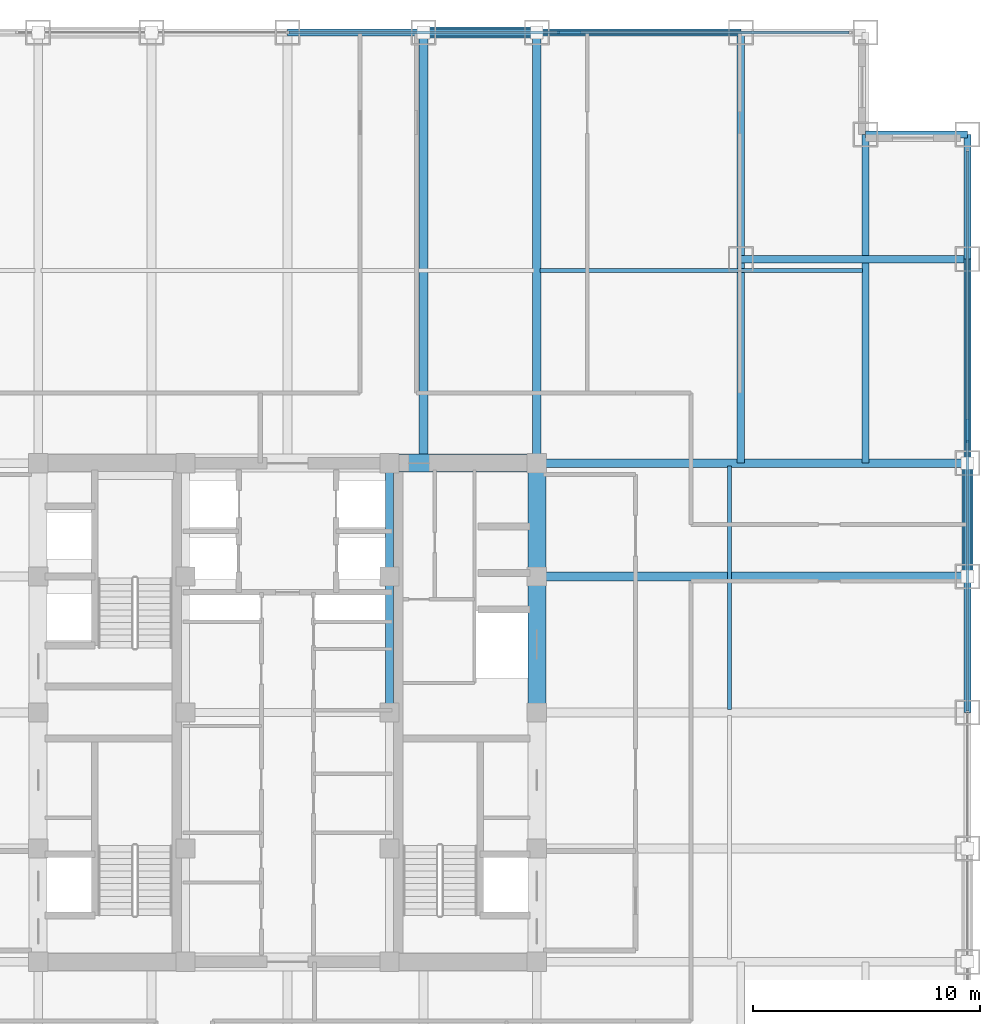
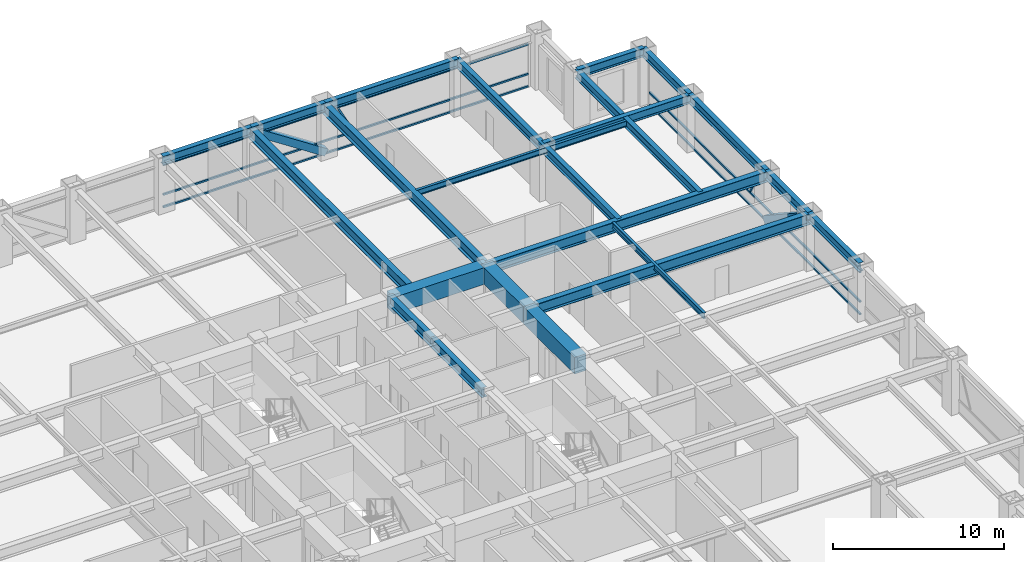
# One storey, part 17 of 24: 22 beams, 10 members, 2 elements without a shape of their own.
"""IFC4 building model written with IfcOpenShell, lengths in metres."""

from ifc_helpers import new_model, si_unit, direction, frame, origin, origin_2d, place, context, subcontext, project, spatial, rectangle, hollow_rectangle, i_section, extrude, source, transform, mapped, material, material_profile, profile_set, type_object, element, aggregate, save


model = new_model("IFC4")

# Units and contexts
model_context = context("Model", 3, precision=1e-05, world=origin(), true_north=direction((0.0, 1.0)))
body_context = subcontext(model_context, "Body", "Model", "MODEL_VIEW")
ifc_project = project(units=[si_unit("LENGTHUNIT", "METRE"), si_unit("AREAUNIT", "SQUARE_METRE"), si_unit("VOLUMEUNIT", "CUBIC_METRE"), si_unit("PLANEANGLEUNIT", "RADIAN"), si_unit("MASSUNIT", "GRAM", prefix="KILO")], contexts=[model_context])

# Site, building, storey
site_placement = place(None, origin())
site = spatial("IfcSite", under=ifc_project, at=site_placement, CompositionType="ELEMENT")
building_placement = place(site_placement, origin())
building = spatial("IfcBuilding", under=site, at=building_placement, Name="Khorayat Bourse Tower", CompositionType="ELEMENT")
storey_placement = place(building_placement, frame((0.0, 0.0, 159.10009765625)))
storey = spatial("IfcBuildingStorey", under=building, at=storey_placement, Name="L36", CompositionType="ELEMENT", Elevation=159.10009765625)

# Beams
ifc_material_1 = material(Name="Concrete C72/90", Category="concrete")
ifc_material_profile_1 = material_profile(ifc_material_1, rectangle(XDim=0.800048828125, YDim=1.199951171875, at=origin_2d()), Name="RC 800x1200")
ifc_profile_set_1 = profile_set([ifc_material_profile_1], Name="Concrete C72/90")
beam_type_1 = type_object("IfcBeamType", Name="BM-COUP-1200", PredefinedType="BEAM", material=ifc_profile_set_1)
shared_shape_1 = source(origin(), body_context, "Body", "SweptSolid", [
    extrude(rectangle(XDim=0.800048828125, YDim=1.199951171875, at=origin_2d()), origin(), (0.0, 0.0, 1.0), 5.0),
])
beam_1_placement = place(storey_placement, frame((11.0, 6.0, 3.179931640625), z_axis=(0.0, 1.0, 0.0), x_axis=(-1.0, 0.0, 0.0)))
element("IfcBeam", 1, at=beam_1_placement, inside=storey, type_object=beam_type_1, Name="L36 BM-COUP-1200 BM-L36-CRX-16", PredefinedType="BEAM", context=body_context, shape_type="MappedRepresentation", body=[
    mapped(shared_shape_1, transform((0.0, 0.0, 0.0), scale=1.0)),
])
shared_shape_2 = source(origin(), body_context, "Body", "SweptSolid", [
    extrude(rectangle(XDim=0.800048828125, YDim=1.199951171875, at=origin_2d()), origin(), (0.0, 0.0, 1.0), 6.0),
])
beam_2_placement = place(storey_placement, frame((11.0, 0.0, 3.179931640625), z_axis=(0.0, 1.0, 0.0), x_axis=(-1.0, 0.0, 0.0)))
element("IfcBeam", 2, at=beam_2_placement, inside=storey, type_object=beam_type_1, Name="L36 BM-COUP-1200 BM-L36-CRX-15", PredefinedType="BEAM", context=body_context, shape_type="MappedRepresentation", body=[
    mapped(shared_shape_2, transform((0.0, 0.0, 0.0), scale=1.0)),
])
ifc_material_2 = material(Name="Steel ASTM A992 Grade 50", Category="steel")
ifc_material_profile_2 = material_profile(ifc_material_2, i_section(OverallWidth=0.35498046875, OverallDepth=0.695068359375, WebThickness=0.015380859375, FlangeThickness=0.02490234375, FilletRadius=0.01806640625, at=origin_2d()), Name="W690X217")
ifc_profile_set_2 = profile_set([ifc_material_profile_2], Name="Steel ASTM A992 Grade 50")
beam_type_2 = type_object("IfcBeamType", Name="BM-GIRD-690", PredefinedType="BEAM", material=ifc_profile_set_2)
shared_shape_3 = source(origin(), body_context, "Body", "SweptSolid", [
    extrude(i_section(OverallWidth=0.35498046875, OverallDepth=0.695068359375, WebThickness=0.015380859375, FlangeThickness=0.02490234375, FilletRadius=0.01806640625, at=origin_2d()), origin(), (0.0, 0.0, 1.0), 5.0),
])
beam_3_placement = place(storey_placement, frame((4.5, 6.0, 3.432373046875), z_axis=(0.0, 1.0, 0.0), x_axis=(-1.0, 0.0, 0.0)))
element("IfcBeam", 3, at=beam_3_placement, inside=storey, type_object=beam_type_2, Name="L36 BM-GIRD-690 BM-L36-CRX-12", PredefinedType="BEAM", context=body_context, shape_type="MappedRepresentation", body=[
    mapped(shared_shape_3, transform((0.0, 0.0, 0.0), scale=1.0)),
])
shared_shape_4 = source(origin(), body_context, "Body", "SweptSolid", [
    extrude(i_section(OverallWidth=0.35498046875, OverallDepth=0.695068359375, WebThickness=0.015380859375, FlangeThickness=0.02490234375, FilletRadius=0.01806640625, at=origin_2d()), origin(), (0.0, 0.0, 1.0), 6.0),
])
beam_4_placement = place(storey_placement, frame((4.5, 0.0, 3.432373046875), z_axis=(0.0, 1.0, 0.0), x_axis=(-1.0, 0.0, 0.0)))
element("IfcBeam", 4, at=beam_4_placement, inside=storey, type_object=beam_type_2, Name="L36 BM-GIRD-690 BM-L36-CRX-11", PredefinedType="BEAM", context=body_context, shape_type="MappedRepresentation", body=[
    mapped(shared_shape_4, transform((0.0, 0.0, 0.0), scale=1.0)),
])
shared_shape_5 = source(origin(), body_context, "Body", "SweptSolid", [
    extrude(rectangle(XDim=0.800048828125, YDim=1.199951171875, at=origin_2d()), origin(), (0.0, 0.0, 1.0), 6.5),
])
beam_5_placement = place(storey_placement, frame((4.5, 11.0, 3.179931640625), z_axis=(1.0, 0.0, 0.0), x_axis=(0.0, 1.0, 0.0)))
element("IfcBeam", 5, at=beam_5_placement, inside=storey, type_object=beam_type_1, Name="L36 BM-COUP-1200 BM-L36-CRY-22", PredefinedType="BEAM", context=body_context, shape_type="MappedRepresentation", body=[
    mapped(shared_shape_5, transform((0.0, 0.0, 0.0), scale=1.0)),
])
ifc_material_profile_3 = material_profile(ifc_material_2, i_section(OverallWidth=0.381103515625, OverallDepth=0.77294921875, WebThickness=0.0166015625, FlangeThickness=0.027587890625, FilletRadius=0.01806640625, at=origin_2d()), Name="W760X257")
ifc_profile_set_3 = profile_set([ifc_material_profile_3], Name="Steel ASTM A992 Grade 50")
beam_type_3 = type_object("IfcBeamType", Name="BM-GIRD-760", PredefinedType="BEAM", material=ifc_profile_set_3)
shared_shape_6 = source(origin(), body_context, "Body", "SweptSolid", [
    extrude(i_section(OverallWidth=0.381103515625, OverallDepth=0.77294921875, WebThickness=0.0166015625, FlangeThickness=0.027587890625, FilletRadius=0.01806640625, at=origin_2d()), origin(), (0.0, 0.0, 1.0), 19.0),
])
for number, where, z_axis, x_axis, name in (
    (6, (6.0, 11.0, 3.393310546875), (0.0, 1.0, 0.0), (-1.0, 0.0, 0.0), "L36 BM-GIRD-760 BM-L36-RADY-070"),
    (7, (11.0, 11.0, 3.393310546875), (0.0, 1.0, 0.0), (-1.0, 0.0, 0.0), "L36 BM-GIRD-760 BM-L36-RADY-072"),
    (8, (11.0, 6.0, 3.393310546875), (1.0, 0.0, 0.0), (0.0, 1.0, 0.0), "L36 BM-GIRD-760 BM-L36-RADX-080"),
    (9, (11.0, 11.0, 3.393310546875), (1.0, 0.0, 0.0), (0.0, 1.0, 0.0), "L36 BM-GIRD-760 BM-L36-RADX-082"),
):
    element("IfcBeam", number, at=place(storey_placement, frame(where, z_axis=z_axis, x_axis=x_axis)), inside=storey, type_object=beam_type_3, Name=name, PredefinedType="BEAM", context=body_context, shape_type="MappedRepresentation", body=[
        mapped(shared_shape_6, transform((0.0, 0.0, 0.0), scale=1.0)),
    ])
ifc_material_profile_4 = material_profile(ifc_material_2, i_section(OverallWidth=0.324951171875, OverallDepth=0.615966796875, WebThickness=0.013916015625, FlangeThickness=0.021484375, FilletRadius=0.01611328125, at=origin_2d()), Name="W610X174")
ifc_profile_set_4 = profile_set([ifc_material_profile_4], Name="Steel ASTM A992 Grade 50")
beam_type_4 = type_object("IfcBeamType", Name="BM-GIRD-610", PredefinedType="BEAM", material=ifc_profile_set_4)
shared_shape_7 = source(origin(), body_context, "Body", "SweptSolid", [
    extrude(i_section(OverallWidth=0.324951171875, OverallDepth=0.615966796875, WebThickness=0.013916015625, FlangeThickness=0.021484375, FilletRadius=0.01611328125, at=origin_2d()), origin(), (0.0, 0.0, 1.0), 19.0),
])
beam_6_placement = place(storey_placement, frame((20.0, 11.0, 3.471923828125), z_axis=(0.0, 1.0, 0.0), x_axis=(-1.0, 0.0, 0.0)))
element("IfcBeam", 10, at=beam_6_placement, inside=storey, type_object=beam_type_4, Name="L36 BM-GIRD-610 BM-L36-CNRY-087", PredefinedType="BEAM", context=body_context, shape_type="MappedRepresentation", body=[
    mapped(shared_shape_7, transform((0.0, 0.0, 0.0), scale=1.0)),
])
shared_shape_8 = source(origin(), body_context, "Body", "SweptSolid", [
    extrude(i_section(OverallWidth=0.324951171875, OverallDepth=0.615966796875, WebThickness=0.013916015625, FlangeThickness=0.021484375, FilletRadius=0.01611328125, at=origin_2d()), origin(), (0.0, 0.0, 1.0), 14.5),
])
beam_7_placement = place(storey_placement, frame((25.5, 11.0, 3.471923828125), z_axis=(0.0, 1.0, 0.0), x_axis=(-1.0, 0.0, 0.0)))
element("IfcBeam", 11, at=beam_7_placement, inside=storey, type_object=beam_type_4, Name="L36 BM-GIRD-610 BM-L36-CNRY-091", PredefinedType="BEAM", context=body_context, shape_type="MappedRepresentation", body=[
    mapped(shared_shape_8, transform((0.0, 0.0, 0.0), scale=1.0)),
])
shared_shape_9 = source(origin(), body_context, "Body", "SweptSolid", [
    extrude(i_section(OverallWidth=0.324951171875, OverallDepth=0.615966796875, WebThickness=0.013916015625, FlangeThickness=0.021484375, FilletRadius=0.01611328125, at=origin_2d()), origin(), (0.0, 0.0, 1.0), 10.0),
])
beam_8_placement = place(storey_placement, frame((20.0, 20.0, 3.471923828125), z_axis=(1.0, 0.0, 0.0), x_axis=(0.0, 1.0, 0.0)))
element("IfcBeam", 12, at=beam_8_placement, inside=storey, type_object=beam_type_4, Name="L36 BM-GIRD-610 BM-L36-CNRX-094", PredefinedType="BEAM", context=body_context, shape_type="MappedRepresentation", body=[
    mapped(shared_shape_9, transform((0.0, 0.0, 0.0), scale=1.0)),
])
ifc_material_profile_5 = material_profile(ifc_material_2, i_section(OverallWidth=0.180908203125, OverallDepth=0.4169921875, WebThickness=0.010986328125, FlangeThickness=0.018310546875, FilletRadius=0.011962890625, at=origin_2d()), Name="W410X85")
ifc_profile_set_5 = profile_set([ifc_material_profile_5], Name="Steel ASTM A992 Grade 50")
beam_type_5 = type_object("IfcBeamType", Name="BM-JOIST-410", PredefinedType="JOIST", material=ifc_profile_set_5)
shared_shape_10 = source(origin(), body_context, "Body", "SweptSolid", [
    extrude(i_section(OverallWidth=0.180908203125, OverallDepth=0.4169921875, WebThickness=0.010986328125, FlangeThickness=0.018310546875, FilletRadius=0.011962890625, at=origin_2d()), origin(), (0.0, 0.0, 1.0), 14.240234375),
])
beam_9_placement = place(storey_placement, frame((11.1298828125, 19.5, 3.5712890625), z_axis=(1.0, 0.0, 0.0), x_axis=(0.0, 1.0, 0.0)))
element("IfcBeam", 13, at=beam_9_placement, inside=storey, type_object=beam_type_5, Name="L36 BM-JOIST-410 BM-L36-JSTX-101", PredefinedType="JOIST", context=body_context, shape_type="MappedRepresentation", body=[
    mapped(shared_shape_10, transform((0.0, 0.0, 0.0), scale=1.0)),
])
shared_shape_11 = source(origin(), body_context, "Body", "SweptSolid", [
    extrude(i_section(OverallWidth=0.180908203125, OverallDepth=0.4169921875, WebThickness=0.010986328125, FlangeThickness=0.018310546875, FilletRadius=0.011962890625, at=origin_2d()), origin(), (0.0, 0.0, 1.0), 10.740234375),
])
beam_10_placement = place(storey_placement, frame((19.5, 0.1298828125, 3.5712890625), z_axis=(0.0, 1.0, 0.0), x_axis=(-1.0, 0.0, 0.0)))
element("IfcBeam", 14, at=beam_10_placement, inside=storey, type_object=beam_type_5, Name="L36 BM-JOIST-410 BM-L36-JSTY-105", PredefinedType="JOIST", context=body_context, shape_type="MappedRepresentation", body=[
    mapped(shared_shape_11, transform((0.0, 0.0, 0.0), scale=1.0)),
])
ifc_material_profile_6 = material_profile(ifc_material_2, i_section(OverallWidth=0.324951171875, OverallDepth=0.615966796875, WebThickness=0.013916015625, FlangeThickness=0.021484375, FilletRadius=0.01611328125, at=origin_2d()), Name="W610X174")
ifc_profile_set_6 = profile_set([ifc_material_profile_6], Name="Steel ASTM A992 Grade 50")
beam_type_6 = type_object("IfcBeamType", Name="BM-SPAN-610", PredefinedType="SPANDREL", material=ifc_profile_set_6)
shared_shape_12 = source(origin(), body_context, "Body", "SweptSolid", [
    extrude(i_section(OverallWidth=0.324951171875, OverallDepth=0.615966796875, WebThickness=0.013916015625, FlangeThickness=0.021484375, FilletRadius=0.01611328125, at=origin_2d()), origin(), (0.0, 0.0, 1.0), 5.5),
])
beam_11_placement = place(storey_placement, frame((30.0, 20.0, 3.471923828125), z_axis=(0.0, 1.0, 0.0), x_axis=(-1.0, 0.0, 0.0)))
element("IfcBeam", 15, at=beam_11_placement, inside=storey, type_object=beam_type_6, Name="L36 BM-SPAN-610 BM-L36-SPN-041", PredefinedType="SPANDREL", context=body_context, shape_type="MappedRepresentation", body=[
    mapped(shared_shape_12, transform((0.0, 0.0, 0.0), scale=1.0)),
])
shared_shape_13 = source(origin(), body_context, "Body", "SweptSolid", [
    extrude(i_section(OverallWidth=0.324951171875, OverallDepth=0.615966796875, WebThickness=0.013916015625, FlangeThickness=0.021484375, FilletRadius=0.01611328125, at=origin_2d()), origin(), (0.0, 0.0, 1.0), 9.0),
])
for number, where, z_axis, x_axis, name in (
    (16, (30.0, 11.0, 3.471923828125), (0.0, 1.0, 0.0), (-1.0, 0.0, 0.0), "L36 BM-SPAN-610 BM-L36-SPN-040"),
    (17, (11.0, 30.0, 3.471923828125), (1.0, 0.0, 0.0), (0.0, 1.0, 0.0), "L36 BM-SPAN-610 BM-L36-SPN-045"),
):
    element("IfcBeam", number, at=place(storey_placement, frame(where, z_axis=z_axis, x_axis=x_axis)), inside=storey, type_object=beam_type_6, Name=name, PredefinedType="SPANDREL", context=body_context, shape_type="MappedRepresentation", body=[
        mapped(shared_shape_13, transform((0.0, 0.0, 0.0), scale=1.0)),
    ])
shared_shape_14 = source(origin(), body_context, "Body", "SweptSolid", [
    extrude(i_section(OverallWidth=0.324951171875, OverallDepth=0.615966796875, WebThickness=0.013916015625, FlangeThickness=0.021484375, FilletRadius=0.01611328125, at=origin_2d()), origin(), (0.0, 0.0, 1.0), 5.0),
])
for number, where, z_axis, x_axis, name in (
    (18, (30.0, 6.0, 3.471923828125), (0.0, 1.0, 0.0), (-1.0, 0.0, 0.0), "L36 BM-SPAN-610 BM-L36-SPN-039"),
    (19, (6.0, 30.0, 3.471923828125), (1.0, 0.0, 0.0), (0.0, 1.0, 0.0), "L36 BM-SPAN-610 BM-L36-SPN-046"),
):
    element("IfcBeam", number, at=place(storey_placement, frame(where, z_axis=z_axis, x_axis=x_axis)), inside=storey, type_object=beam_type_6, Name=name, PredefinedType="SPANDREL", context=body_context, shape_type="MappedRepresentation", body=[
        mapped(shared_shape_14, transform((0.0, 0.0, 0.0), scale=1.0)),
    ])
shared_shape_15 = source(origin(), body_context, "Body", "SweptSolid", [
    extrude(i_section(OverallWidth=0.324951171875, OverallDepth=0.615966796875, WebThickness=0.013916015625, FlangeThickness=0.021484375, FilletRadius=0.01611328125, at=origin_2d()), origin(), (0.0, 0.0, 1.0), 6.0),
])
for number, where, z_axis, x_axis, name in (
    (20, (30.0, 0.0, 3.471923828125), (0.0, 1.0, 0.0), (-1.0, 0.0, 0.0), "L36 BM-SPAN-610 BM-L36-SPN-038"),
    (21, (0.0, 30.0, 3.471923828125), (1.0, 0.0, 0.0), (0.0, 1.0, 0.0), "L36 BM-SPAN-610 BM-L36-SPN-047"),
):
    element("IfcBeam", number, at=place(storey_placement, frame(where, z_axis=z_axis, x_axis=x_axis)), inside=storey, type_object=beam_type_6, Name=name, PredefinedType="SPANDREL", context=body_context, shape_type="MappedRepresentation", body=[
        mapped(shared_shape_15, transform((0.0, 0.0, 0.0), scale=1.0)),
    ])
shared_shape_16 = source(origin(), body_context, "Body", "SweptSolid", [
    extrude(i_section(OverallWidth=0.324951171875, OverallDepth=0.615966796875, WebThickness=0.013916015625, FlangeThickness=0.021484375, FilletRadius=0.01611328125, at=origin_2d()), origin(), (0.0, 0.0, 1.0), 4.5),
])
beam_12_placement = place(storey_placement, frame((25.5, 25.5, 3.471923828125), z_axis=(1.0, 0.0, 0.0), x_axis=(0.0, 1.0, 0.0)))
element("IfcBeam", 22, at=beam_12_placement, inside=storey, type_object=beam_type_6, Name="L36 BM-SPAN-610 BM-L36-SPN-042", PredefinedType="SPANDREL", context=body_context, shape_type="MappedRepresentation", body=[
    mapped(shared_shape_16, transform((0.0, 0.0, 0.0), scale=1.0)),
])

# Members
ifc_material_3 = material(Name="Steel EN 10025-4 S460M", Category="steel")
ifc_material_profile_7 = material_profile(ifc_material_3, hollow_rectangle(XDim=0.5, YDim=0.5, WallThickness=0.028076171875, at=origin_2d()), Name="HSS 500x500x28")
ifc_profile_set_7 = profile_set([ifc_material_profile_7], Name="Steel EN 10025-4 S460M")
member_type_1 = type_object("IfcMemberType", Name="MBR-TUBE-500", PredefinedType="BRACE", material=ifc_profile_set_7)
shared_shape_17 = source(origin(), body_context, "Body", "SweptSolid", [
    extrude(hollow_rectangle(XDim=0.5, YDim=0.5, WallThickness=0.028076171875, at=origin_2d()), origin(), (0.0, 0.0, 1.0), 5.979736328125),
])
for number, where, z_axis, x_axis, name in (
    (23, (6.0, 30.0, 3.52978515625), (0.836160261256, 0.0, -0.548485202623), (0.0, 1.0, 0.0), "L36 Perimeter Tube Brace 04"),
    (24, (30.0, 6.0, 3.52978515625), (0.0, 0.836160261256, -0.548485202623), (-1.0, 0.0, 0.0), "L36 Perimeter Tube Brace 08"),
):
    element("IfcMember", number, at=place(storey_placement, frame(where, z_axis=z_axis, x_axis=x_axis)), inside=storey, type_object=member_type_1, Name=name, PredefinedType="BRACE", context=body_context, shape_type="MappedRepresentation", body=[
        mapped(shared_shape_17, transform((0.0, 0.0, 0.0), scale=1.0)),
    ])

# Curtain wall, member
ifc_material_4 = material(Name="Aluminium EN AW-6063 T6", Category="aluminium")
curtain_wall_type = type_object("IfcCurtainWallType", Name="CW-SYS-03", PredefinedType="NOTDEFINED", material=ifc_material_4)
curtain_wall_1_placement = place(storey_placement, origin())
curtain_wall_1 = element("IfcCurtainWall", 25, at=curtain_wall_1_placement, inside=storey, type_object=curtain_wall_type, Name="L36 Curtain Wall CW-L36-N1", PredefinedType="NOTDEFINED")
ifc_material_profile_8 = material_profile(ifc_material_4, hollow_rectangle(XDim=0.1201171875, YDim=0.1201171875, WallThickness=0.0048828125, at=origin_2d()), Name="ALU 120x120x5")
ifc_profile_set_8 = profile_set([ifc_material_profile_8], Name="Aluminium EN AW-6063 T6")
member_type_2 = type_object("IfcMemberType", Name="CWM-DIAG-120", PredefinedType="MULLION", material=ifc_profile_set_8)
shared_shape_18 = source(origin(), body_context, "Body", "SweptSolid", [
    extrude(hollow_rectangle(XDim=0.1201171875, YDim=0.1201171875, WallThickness=0.0048828125, at=origin_2d()), origin(), (0.0, 0.0, 1.0), 2.079345703125),
])
member_1_placement = place(storey_placement, frame((12.904296875, 30.0, 1.08984375), z_axis=(-0.465760949701, 0.0, 0.884910581773), x_axis=(0.0, -1.0, 0.0)))
member_1 = element("IfcMember", 26, at=member_1_placement, type_object=member_type_2, Name="CW-L36-N1 Faceted Diagonal Mullion 2", PredefinedType="MULLION", context=body_context, shape_type="MappedRepresentation", body=[
    mapped(shared_shape_18, transform((0.0, 0.0, 0.0), scale=1.0)),
])

curtain_wall_2_placement = place(storey_placement, origin())
curtain_wall_2 = element("IfcCurtainWall", 27, at=curtain_wall_2_placement, inside=storey, type_object=curtain_wall_type, Name="L36 Curtain Wall CW-L36-E1", PredefinedType="NOTDEFINED")
member_2_placement = place(storey_placement, frame((30.0, 12.904296875, 1.08984375), z_axis=(0.0, -0.465760949701, 0.884910581773), x_axis=(1.0, 0.0, 0.0)))
member_2 = element("IfcMember", 28, at=member_2_placement, type_object=member_type_2, Name="CW-L36-E1 Faceted Diagonal Mullion 2", PredefinedType="MULLION", context=body_context, shape_type="MappedRepresentation", body=[
    mapped(shared_shape_18, transform((0.0, 0.0, 0.0), scale=1.0)),
])

# Member
ifc_material_profile_9 = material_profile(ifc_material_4, hollow_rectangle(XDim=0.1201171875, YDim=0.1201171875, WallThickness=0.0048828125, at=origin_2d()), Name="ALU 120x120x5")
ifc_profile_set_9 = profile_set([ifc_material_profile_9], Name="Aluminium EN AW-6063 T6")
member_type_3 = type_object("IfcMemberType", Name="CWT-HORZ-120", PredefinedType="USERDEFINED", material=ifc_profile_set_9)
shared_shape_19 = source(origin(), body_context, "Body", "SweptSolid", [
    extrude(hollow_rectangle(XDim=0.1201171875, YDim=0.1201171875, WallThickness=0.0048828125, at=origin_2d()), origin(), (0.0, 0.0, 1.0), 24.719970703125),
])
member_3_placement = place(storey_placement, frame((0.06005859375, 30.0, 0.059814453125), z_axis=(1.0, 0.0, 0.0), x_axis=(0.0, 1.0, 0.0)))
member_3 = element("IfcMember", 29, at=member_3_placement, type_object=member_type_3, Name="CW-L36-N1 Horizontal Transom 2-1", ObjectType="TRANSOM", PredefinedType="USERDEFINED", context=body_context, shape_type="MappedRepresentation", body=[
    mapped(shared_shape_19, transform((0.0, 0.0, 0.0), scale=1.0)),
])

member_4_placement = place(storey_placement, frame((0.06005859375, 30.0, 0.949951171875), z_axis=(1.0, 0.0, 0.0), x_axis=(0.0, 1.0, 0.0)))
member_4 = element("IfcMember", 30, at=member_4_placement, type_object=member_type_3, Name="CW-L36-N1 Horizontal Transom 2-2", ObjectType="TRANSOM", PredefinedType="USERDEFINED", context=body_context, shape_type="MappedRepresentation", body=[
    mapped(shared_shape_19, transform((0.0, 0.0, 0.0), scale=1.0)),
])

member_5_placement = place(storey_placement, frame((0.06005859375, 30.0, 3.06982421875), z_axis=(1.0, 0.0, 0.0), x_axis=(0.0, 1.0, 0.0)))
member_5 = element("IfcMember", 31, at=member_5_placement, type_object=member_type_3, Name="CW-L36-N1 Horizontal Transom 2-3", ObjectType="TRANSOM", PredefinedType="USERDEFINED", context=body_context, shape_type="MappedRepresentation", body=[
    mapped(shared_shape_19, transform((0.0, 0.0, 0.0), scale=1.0)),
])

aggregate(curtain_wall_1, [member_3, member_4, member_5, member_1])

member_6_placement = place(storey_placement, frame((30.0, 0.06005859375, 0.059814453125), z_axis=(0.0, 1.0, 0.0), x_axis=(-1.0, 0.0, 0.0)))
member_6 = element("IfcMember", 32, at=member_6_placement, type_object=member_type_3, Name="CW-L36-E1 Horizontal Transom 2-1", ObjectType="TRANSOM", PredefinedType="USERDEFINED", context=body_context, shape_type="MappedRepresentation", body=[
    mapped(shared_shape_19, transform((0.0, 0.0, 0.0), scale=1.0)),
])

member_7_placement = place(storey_placement, frame((30.0, 0.06005859375, 0.949951171875), z_axis=(0.0, 1.0, 0.0), x_axis=(-1.0, 0.0, 0.0)))
member_7 = element("IfcMember", 33, at=member_7_placement, type_object=member_type_3, Name="CW-L36-E1 Horizontal Transom 2-2", ObjectType="TRANSOM", PredefinedType="USERDEFINED", context=body_context, shape_type="MappedRepresentation", body=[
    mapped(shared_shape_19, transform((0.0, 0.0, 0.0), scale=1.0)),
])

member_8_placement = place(storey_placement, frame((30.0, 0.06005859375, 3.06982421875), z_axis=(0.0, 1.0, 0.0), x_axis=(-1.0, 0.0, 0.0)))
member_8 = element("IfcMember", 34, at=member_8_placement, type_object=member_type_3, Name="CW-L36-E1 Horizontal Transom 2-3", ObjectType="TRANSOM", PredefinedType="USERDEFINED", context=body_context, shape_type="MappedRepresentation", body=[
    mapped(shared_shape_19, transform((0.0, 0.0, 0.0), scale=1.0)),
])

aggregate(curtain_wall_2, [member_6, member_7, member_8, member_2])

save(model, "model.ifc")
